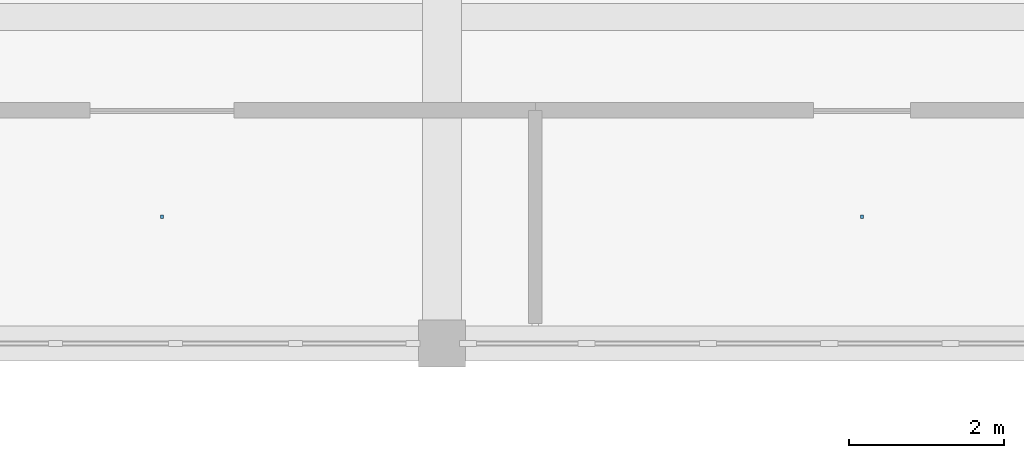
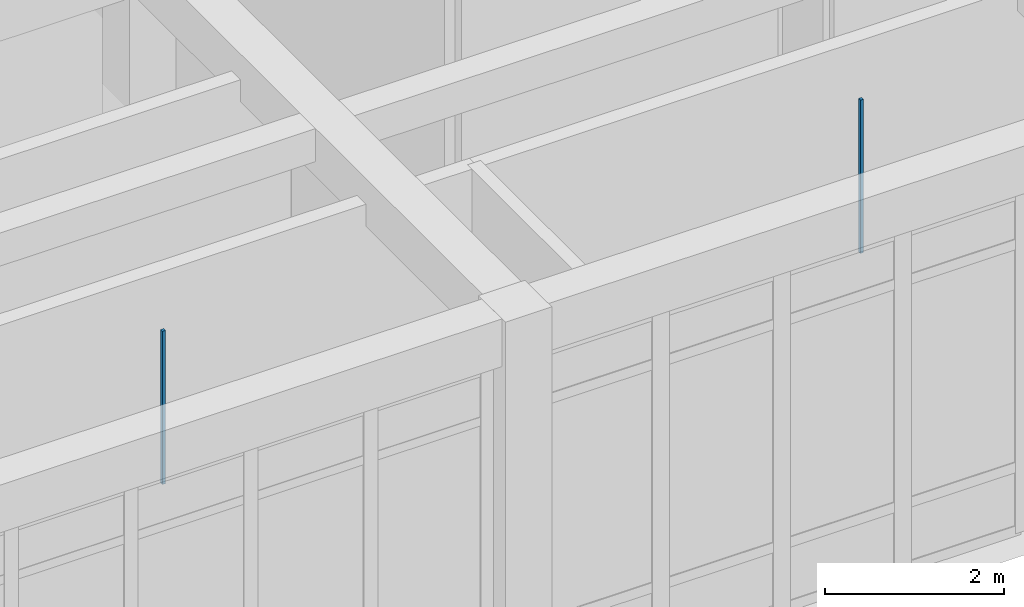
# One storey, part 112 of 157: 2 discrete accessories.
"""IFC4 building model written with IfcOpenShell, lengths in metres."""

from ifc_helpers import new_model, si_unit, direction, frame, origin, origin_2d, place, context, subcontext, project, spatial, rectangle, extrude, material, type_object, element, save


model = new_model("IFC4")

# Units and contexts
model_context = context("Model", 3, precision=1e-05, world=origin(), true_north=direction((0.0, 1.0)))
body_context = subcontext(model_context, "Body", "Model", "MODEL_VIEW")
ifc_project = project(units=[si_unit("LENGTHUNIT", "METRE"), si_unit("AREAUNIT", "SQUARE_METRE"), si_unit("VOLUMEUNIT", "CUBIC_METRE"), si_unit("PLANEANGLEUNIT", "RADIAN"), si_unit("MASSUNIT", "GRAM", prefix="KILO")], contexts=[model_context])

# Site, building, storey
site_placement = place(None, origin())
site = spatial("IfcSite", under=ifc_project, at=site_placement, CompositionType="ELEMENT")
building_placement = place(site_placement, origin())
building = spatial("IfcBuilding", under=site, at=building_placement, Name="Varncliffe General Hospital", CompositionType="ELEMENT")
storey_placement = place(building_placement, frame((0.0, 0.0, 5.39990234375)))
storey = spatial("IfcBuildingStorey", under=building, at=storey_placement, Name="L01", CompositionType="ELEMENT", Elevation=5.39990234375)

# Discrete accessories
ifc_material = material(Name="Powder-coated hospital steel guardrail and handrail", Category="steel")
discrete_accessory_type = type_object("IfcDiscreteAccessoryType", Name="Suspended Ceiling Hanger Bracket CH01", PredefinedType="BRACKET", material=ifc_material)
for number, where, z_axis, x_axis, name in (
    (1, (30.0, 84.429931640625, 3.18994140625), (0.0, 0.0, 1.0), (1.0, 0.0, 0.0), "L01 Suspended Ceiling Hanger 154"),
    (2, (39.0, 84.429931640625, 3.18994140625), (0.0, 0.0, 1.0), (1.0, 0.0, 0.0), "L01 Suspended Ceiling Hanger 155"),
):
    element("IfcDiscreteAccessory", number, at=place(storey_placement, frame(where, z_axis=z_axis, x_axis=x_axis)), inside=storey, type_object=discrete_accessory_type, Name=name, PredefinedType="BRACKET", context=body_context, shape_type="SweptSolid", body=[
        extrude(rectangle(XDim=0.0400390625, YDim=0.0400390625, at=origin_2d()), origin(), (0.0, 0.0, 1.0), 2.090087890625),
    ])

save(model, "model.ifc")
